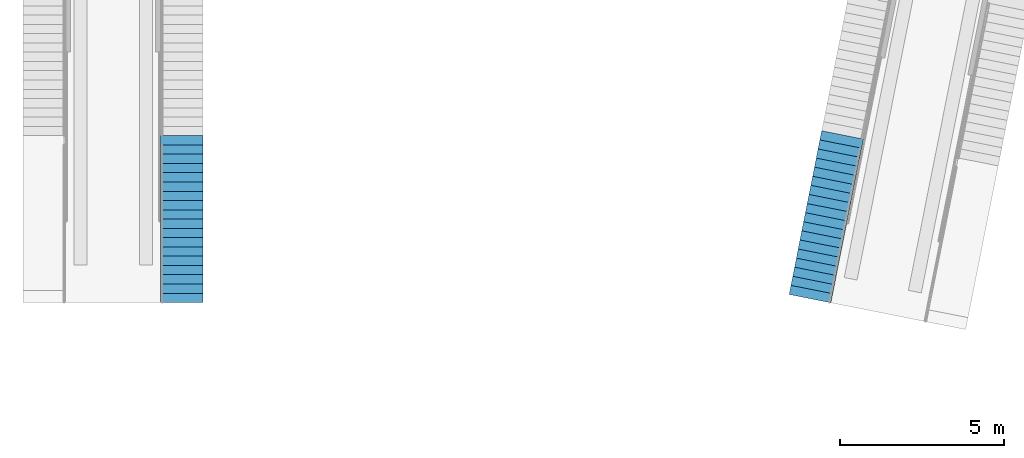
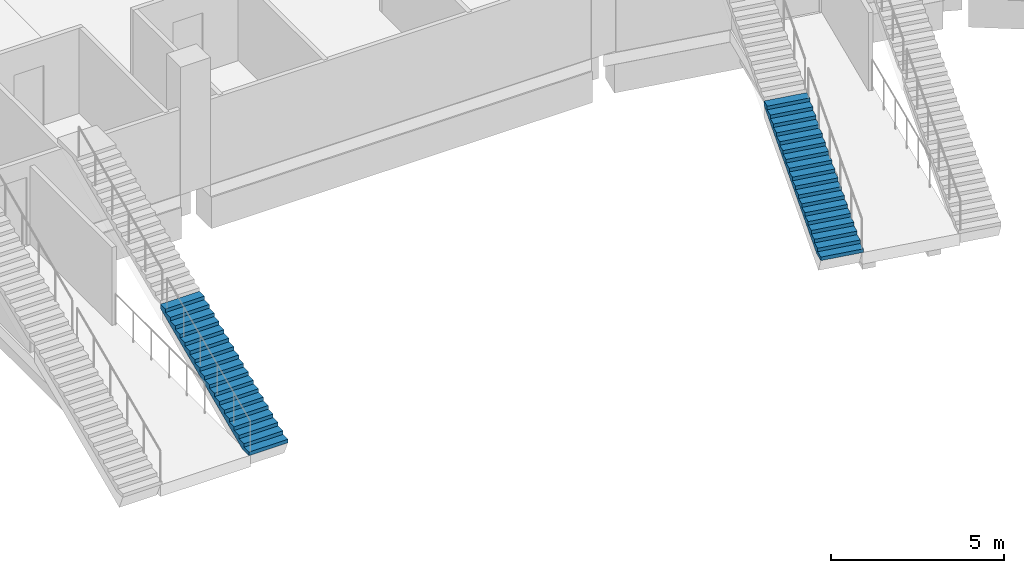
# One storey, part 125 of 175: 2 stair flights, 2 elements without a shape of their own.
"""IFC4 building model written with IfcOpenShell, lengths in metres."""

from ifc_helpers import new_model, si_unit, direction, frame, origin, place, context, subcontext, project, spatial, faceted_brep, material, type_object, element, aggregate, save


model = new_model("IFC4")

# Units and contexts
model_context = context("Model", 3, precision=1e-05, world=origin(), true_north=direction((0.0, 1.0)))
body_context = subcontext(model_context, "Body", "Model", "MODEL_VIEW")
ifc_project = project(units=[si_unit("LENGTHUNIT", "METRE"), si_unit("AREAUNIT", "SQUARE_METRE"), si_unit("VOLUMEUNIT", "CUBIC_METRE"), si_unit("PLANEANGLEUNIT", "RADIAN"), si_unit("MASSUNIT", "GRAM", prefix="KILO")], contexts=[model_context])

# Site, building, storey
site_placement = place(None, origin())
site = spatial("IfcSite", under=ifc_project, at=site_placement, CompositionType="ELEMENT")
building_placement = place(site_placement, origin())
building = spatial("IfcBuilding", under=site, at=building_placement, Name="Ogive Plaza Stadium", CompositionType="ELEMENT")
storey_placement = place(building_placement, origin())
storey = spatial("IfcBuildingStorey", under=building, at=storey_placement, Name="L00", CompositionType="ELEMENT", Elevation=0.0)

# Stair, stair flight
ifc_material_1 = material(Name="Concrete C40/50", Category="concrete")
stair_type = type_object("IfcStairType", Name="Aisle stair", PredefinedType="STRAIGHT_RUN_STAIR", material=ifc_material_1)
stair_1_placement = place(storey_placement, origin())
stair_1 = element("IfcStair", 1, at=stair_1_placement, inside=storey, type_object=stair_type, Name="Aisle stair SA35L", PredefinedType="STRAIGHT_RUN_STAIR")
ifc_material_2 = material(Name="Concrete C40/50", Category="concrete")
stair_flight_type = type_object("IfcStairFlightType", Name="Aisle stair flight", PredefinedType="STRAIGHT", material=ifc_material_2)
stair_flight_1_placement = place(storey_placement, frame((15.699951171875, 67.64990234375, 0.0), z_axis=(0.0, 0.0, 1.0), x_axis=(0.0, 1.0, 0.0)))
stair_flight_1 = element("IfcStairFlight", 2, at=stair_flight_1_placement, type_object=stair_flight_type, Name="SA35L flight 1", NumberOfRisers=18, NumberOfTreads=17, PredefinedType="STRAIGHT", RiserHeight=0.125, TreadLength=0.283333333, context=body_context, shape_type="Brep", body=[
    faceted_brep([(0.371337890625, -0.64990234375, 0.0), (5.10009765625, -0.64990234375, 2.086181640625), (5.10009765625, -0.64990234375, 2.25), (4.816650390625, -0.64990234375, 2.25), (4.816650390625, -0.64990234375, 2.125), (4.533447265625, -0.64990234375, 2.125), (4.533447265625, -0.64990234375, 2.0), (4.25, -0.64990234375, 2.0), (4.25, -0.64990234375, 1.875), (3.966552734375, -0.64990234375, 1.875), (3.966552734375, -0.64990234375, 1.75), (3.683349609375, -0.64990234375, 1.75), (3.683349609375, -0.64990234375, 1.625), (3.39990234375, -0.64990234375, 1.625), (3.39990234375, -0.64990234375, 1.5), (3.11669921875, -0.64990234375, 1.5), (3.11669921875, -0.64990234375, 1.375), (2.833251953125, -0.64990234375, 1.375), (2.833251953125, -0.64990234375, 1.25), (2.550048828125, -0.64990234375, 1.25), (2.550048828125, -0.64990234375, 1.125), (2.2666015625, -0.64990234375, 1.125), (2.2666015625, -0.64990234375, 1.0), (1.9833984375, -0.64990234375, 1.0), (1.9833984375, -0.64990234375, 0.875), (1.699951171875, -0.64990234375, 0.875), (1.699951171875, -0.64990234375, 0.75), (1.416748046875, -0.64990234375, 0.75), (1.416748046875, -0.64990234375, 0.625), (1.13330078125, -0.64990234375, 0.625), (1.13330078125, -0.64990234375, 0.5), (0.85009765625, -0.64990234375, 0.5), (0.85009765625, -0.64990234375, 0.375), (0.566650390625, -0.64990234375, 0.375), (0.566650390625, -0.64990234375, 0.25), (0.283447265625, -0.64990234375, 0.25), (0.283447265625, -0.64990234375, 0.125), (0.0, -0.64990234375, 0.125), (0.0, -0.64990234375, 0.0), (0.0, 0.64990234375, 0.0), (0.0, 0.64990234375, 0.125), (0.283447265625, 0.64990234375, 0.125), (0.283447265625, 0.64990234375, 0.25), (0.566650390625, 0.64990234375, 0.25), (0.566650390625, 0.64990234375, 0.375), (0.85009765625, 0.64990234375, 0.375), (0.85009765625, 0.64990234375, 0.5), (1.13330078125, 0.64990234375, 0.5), (1.13330078125, 0.64990234375, 0.625), (1.416748046875, 0.64990234375, 0.625), (1.416748046875, 0.64990234375, 0.75), (1.699951171875, 0.64990234375, 0.75), (1.699951171875, 0.64990234375, 0.875), (1.9833984375, 0.64990234375, 0.875), (1.9833984375, 0.64990234375, 1.0), (2.2666015625, 0.64990234375, 1.0), (2.2666015625, 0.64990234375, 1.125), (2.550048828125, 0.64990234375, 1.125), (2.550048828125, 0.64990234375, 1.25), (2.833251953125, 0.64990234375, 1.25), (2.833251953125, 0.64990234375, 1.375), (3.11669921875, 0.64990234375, 1.375), (3.11669921875, 0.64990234375, 1.5), (3.39990234375, 0.64990234375, 1.5), (3.39990234375, 0.64990234375, 1.625), (3.683349609375, 0.64990234375, 1.625), (3.683349609375, 0.64990234375, 1.75), (3.966552734375, 0.64990234375, 1.75), (3.966552734375, 0.64990234375, 1.875), (4.25, 0.64990234375, 1.875), (4.25, 0.64990234375, 2.0), (4.533447265625, 0.64990234375, 2.0), (4.533447265625, 0.64990234375, 2.125), (4.816650390625, 0.64990234375, 2.125), (4.816650390625, 0.64990234375, 2.25), (5.10009765625, 0.64990234375, 2.25), (5.10009765625, 0.64990234375, 2.086181640625), (0.371337890625, 0.64990234375, 0.0), (0.371337890625, -0.324951171875, 0.0), (5.10009765625, -0.324951171875, 2.086181640625), (0.371337890625, 0.0, 0.0), (5.10009765625, 0.0, 2.086181640625), (0.371337890625, 0.324951171875, 0.0), (5.10009765625, 0.324951171875, 2.086181640625), (5.10009765625, -0.324951171875, 2.25), (5.10009765625, 0.0, 2.25), (5.10009765625, 0.324951171875, 2.25), (4.816650390625, -0.324951171875, 2.25), (4.816650390625, 0.0, 2.25), (4.816650390625, 0.324951171875, 2.25), (4.816650390625, -0.324951171875, 2.125), (4.816650390625, 0.0, 2.125), (4.816650390625, 0.324951171875, 2.125), (4.533447265625, -0.324951171875, 2.125), (4.533447265625, 0.0, 2.125), (4.533447265625, 0.324951171875, 2.125), (4.533447265625, -0.324951171875, 2.0), (4.533447265625, 0.0, 2.0), (4.533447265625, 0.324951171875, 2.0), (4.25, -0.324951171875, 2.0), (4.25, 0.0, 2.0), (4.25, 0.324951171875, 2.0), (4.25, -0.324951171875, 1.875), (4.25, 0.0, 1.875), (4.25, 0.324951171875, 1.875), (3.966552734375, -0.324951171875, 1.875), (3.966552734375, 0.0, 1.875), (3.966552734375, 0.324951171875, 1.875), (3.966552734375, -0.324951171875, 1.75), (3.966552734375, 0.0, 1.75), (3.966552734375, 0.324951171875, 1.75), (3.683349609375, -0.324951171875, 1.75), (3.683349609375, 0.0, 1.75), (3.683349609375, 0.324951171875, 1.75), (3.683349609375, -0.324951171875, 1.625), (3.683349609375, 0.0, 1.625), (3.683349609375, 0.324951171875, 1.625), (3.39990234375, -0.324951171875, 1.625), (3.39990234375, 0.0, 1.625), (3.39990234375, 0.324951171875, 1.625), (3.39990234375, -0.324951171875, 1.5), (3.39990234375, 0.0, 1.5), (3.39990234375, 0.324951171875, 1.5), (3.11669921875, -0.324951171875, 1.5), (3.11669921875, 0.0, 1.5), (3.11669921875, 0.324951171875, 1.5), (3.11669921875, -0.324951171875, 1.375), (3.11669921875, 0.0, 1.375), (3.11669921875, 0.324951171875, 1.375), (2.833251953125, -0.324951171875, 1.375), (2.833251953125, 0.0, 1.375), (2.833251953125, 0.324951171875, 1.375), (2.833251953125, -0.324951171875, 1.25), (2.833251953125, 0.0, 1.25), (2.833251953125, 0.324951171875, 1.25), (2.550048828125, -0.324951171875, 1.25), (2.550048828125, 0.0, 1.25), (2.550048828125, 0.324951171875, 1.25), (2.550048828125, -0.324951171875, 1.125), (2.550048828125, 0.0, 1.125), (2.550048828125, 0.324951171875, 1.125), (2.2666015625, -0.324951171875, 1.125), (2.2666015625, 0.0, 1.125), (2.2666015625, 0.324951171875, 1.125), (2.2666015625, -0.324951171875, 1.0), (2.2666015625, 0.0, 1.0), (2.2666015625, 0.324951171875, 1.0), (1.9833984375, -0.324951171875, 1.0), (1.9833984375, 0.0, 1.0), (1.9833984375, 0.324951171875, 1.0), (1.9833984375, -0.324951171875, 0.875), (1.9833984375, 0.0, 0.875), (1.9833984375, 0.324951171875, 0.875), (1.699951171875, -0.324951171875, 0.875), (1.699951171875, 0.0, 0.875), (1.699951171875, 0.324951171875, 0.875), (1.699951171875, -0.324951171875, 0.75), (1.699951171875, 0.0, 0.75), (1.699951171875, 0.324951171875, 0.75), (1.416748046875, -0.324951171875, 0.75), (1.416748046875, 0.0, 0.75), (1.416748046875, 0.324951171875, 0.75), (1.416748046875, -0.324951171875, 0.625), (1.416748046875, 0.0, 0.625), (1.416748046875, 0.324951171875, 0.625), (1.13330078125, -0.324951171875, 0.625), (1.13330078125, 0.0, 0.625), (1.13330078125, 0.324951171875, 0.625), (1.13330078125, -0.324951171875, 0.5), (1.13330078125, 0.0, 0.5), (1.13330078125, 0.324951171875, 0.5), (0.85009765625, -0.324951171875, 0.5), (0.85009765625, 0.0, 0.5), (0.85009765625, 0.324951171875, 0.5), (0.85009765625, -0.324951171875, 0.375), (0.85009765625, 0.0, 0.375), (0.85009765625, 0.324951171875, 0.375), (0.566650390625, -0.324951171875, 0.375), (0.566650390625, 0.0, 0.375), (0.566650390625, 0.324951171875, 0.375), (0.566650390625, -0.324951171875, 0.25), (0.566650390625, 0.0, 0.25), (0.566650390625, 0.324951171875, 0.25), (0.283447265625, -0.324951171875, 0.25), (0.283447265625, 0.0, 0.25), (0.283447265625, 0.324951171875, 0.25), (0.283447265625, -0.324951171875, 0.125), (0.283447265625, 0.0, 0.125), (0.283447265625, 0.324951171875, 0.125), (0.0, -0.324951171875, 0.125), (0.0, 0.0, 0.125), (0.0, 0.324951171875, 0.125), (0.0, -0.324951171875, 0.0), (0.0, 0.0, 0.0), (0.0, 0.324951171875, 0.0)], [[[0, 1, 2, 3, 4, 5, 6, 7, 8, 9, 10, 11, 12, 13, 14, 15, 16, 17, 18, 19, 20, 21, 22, 23, 24, 25, 26, 27, 28, 29, 30, 31, 32, 33, 34, 35, 36, 37, 38]], [[39, 40, 41, 42, 43, 44, 45, 46, 47, 48, 49, 50, 51, 52, 53, 54, 55, 56, 57, 58, 59, 60, 61, 62, 63, 64, 65, 66, 67, 68, 69, 70, 71, 72, 73, 74, 75, 76, 77]], [[0, 78, 79, 1]], [[78, 80, 81, 79]], [[80, 82, 83, 81]], [[82, 77, 76, 83]], [[1, 79, 84, 2]], [[79, 81, 85, 84]], [[81, 83, 86, 85]], [[83, 76, 75, 86]], [[2, 84, 87, 3]], [[84, 85, 88, 87]], [[85, 86, 89, 88]], [[86, 75, 74, 89]], [[3, 87, 90, 4]], [[87, 88, 91, 90]], [[88, 89, 92, 91]], [[89, 74, 73, 92]], [[4, 90, 93, 5]], [[90, 91, 94, 93]], [[91, 92, 95, 94]], [[92, 73, 72, 95]], [[5, 93, 96, 6]], [[93, 94, 97, 96]], [[94, 95, 98, 97]], [[95, 72, 71, 98]], [[6, 96, 99, 7]], [[96, 97, 100, 99]], [[97, 98, 101, 100]], [[98, 71, 70, 101]], [[7, 99, 102, 8]], [[99, 100, 103, 102]], [[100, 101, 104, 103]], [[101, 70, 69, 104]], [[8, 102, 105, 9]], [[102, 103, 106, 105]], [[103, 104, 107, 106]], [[104, 69, 68, 107]], [[9, 105, 108, 10]], [[105, 106, 109, 108]], [[106, 107, 110, 109]], [[107, 68, 67, 110]], [[10, 108, 111, 11]], [[108, 109, 112, 111]], [[109, 110, 113, 112]], [[110, 67, 66, 113]], [[11, 111, 114, 12]], [[111, 112, 115, 114]], [[112, 113, 116, 115]], [[113, 66, 65, 116]], [[12, 114, 117, 13]], [[114, 115, 118, 117]], [[115, 116, 119, 118]], [[116, 65, 64, 119]], [[13, 117, 120, 14]], [[117, 118, 121, 120]], [[118, 119, 122, 121]], [[119, 64, 63, 122]], [[14, 120, 123, 15]], [[120, 121, 124, 123]], [[121, 122, 125, 124]], [[122, 63, 62, 125]], [[15, 123, 126, 16]], [[123, 124, 127, 126]], [[124, 125, 128, 127]], [[125, 62, 61, 128]], [[16, 126, 129, 17]], [[126, 127, 130, 129]], [[127, 128, 131, 130]], [[128, 61, 60, 131]], [[17, 129, 132, 18]], [[129, 130, 133, 132]], [[130, 131, 134, 133]], [[131, 60, 59, 134]], [[18, 132, 135, 19]], [[132, 133, 136, 135]], [[133, 134, 137, 136]], [[134, 59, 58, 137]], [[19, 135, 138, 20]], [[135, 136, 139, 138]], [[136, 137, 140, 139]], [[137, 58, 57, 140]], [[20, 138, 141, 21]], [[138, 139, 142, 141]], [[139, 140, 143, 142]], [[140, 57, 56, 143]], [[21, 141, 144, 22]], [[141, 142, 145, 144]], [[142, 143, 146, 145]], [[143, 56, 55, 146]], [[22, 144, 147, 23]], [[144, 145, 148, 147]], [[145, 146, 149, 148]], [[146, 55, 54, 149]], [[23, 147, 150, 24]], [[147, 148, 151, 150]], [[148, 149, 152, 151]], [[149, 54, 53, 152]], [[24, 150, 153, 25]], [[150, 151, 154, 153]], [[151, 152, 155, 154]], [[152, 53, 52, 155]], [[25, 153, 156, 26]], [[153, 154, 157, 156]], [[154, 155, 158, 157]], [[155, 52, 51, 158]], [[26, 156, 159, 27]], [[156, 157, 160, 159]], [[157, 158, 161, 160]], [[158, 51, 50, 161]], [[27, 159, 162, 28]], [[159, 160, 163, 162]], [[160, 161, 164, 163]], [[161, 50, 49, 164]], [[28, 162, 165, 29]], [[162, 163, 166, 165]], [[163, 164, 167, 166]], [[164, 49, 48, 167]], [[29, 165, 168, 30]], [[165, 166, 169, 168]], [[166, 167, 170, 169]], [[167, 48, 47, 170]], [[30, 168, 171, 31]], [[168, 169, 172, 171]], [[169, 170, 173, 172]], [[170, 47, 46, 173]], [[31, 171, 174, 32]], [[171, 172, 175, 174]], [[172, 173, 176, 175]], [[173, 46, 45, 176]], [[32, 174, 177, 33]], [[174, 175, 178, 177]], [[175, 176, 179, 178]], [[176, 45, 44, 179]], [[33, 177, 180, 34]], [[177, 178, 181, 180]], [[178, 179, 182, 181]], [[179, 44, 43, 182]], [[34, 180, 183, 35]], [[180, 181, 184, 183]], [[181, 182, 185, 184]], [[182, 43, 42, 185]], [[35, 183, 186, 36]], [[183, 184, 187, 186]], [[184, 185, 188, 187]], [[185, 42, 41, 188]], [[36, 186, 189, 37]], [[186, 187, 190, 189]], [[187, 188, 191, 190]], [[188, 41, 40, 191]], [[37, 189, 192, 38]], [[189, 190, 193, 192]], [[190, 191, 194, 193]], [[191, 40, 39, 194]], [[38, 192, 78, 0]], [[192, 193, 80, 78]], [[193, 194, 82, 80]], [[194, 39, 77, 82]]]),
])
aggregate(stair_1, [stair_flight_1])

stair_2_placement = place(storey_placement, origin())
stair_2 = element("IfcStair", 3, at=stair_2_placement, inside=storey, type_object=stair_type, Name="Aisle stair SA37R", PredefinedType="STRAIGHT_RUN_STAIR")
stair_flight_2_placement = place(storey_placement, frame((34.89599609375, 67.7685546875, 0.0), z_axis=(0.0, 0.0, 1.0), x_axis=(0.195090322016, 0.980785280403, 0.0)))
stair_flight_2 = element("IfcStairFlight", 4, at=stair_flight_2_placement, type_object=stair_flight_type, Name="SA37R flight 1", NumberOfRisers=18, NumberOfTreads=17, PredefinedType="STRAIGHT", RiserHeight=0.125, TreadLength=0.283333333, context=body_context, shape_type="Brep", body=[
    faceted_brep([(0.371337890625, -0.64990234375, 0.0), (5.10009765625, -0.64990234375, 2.086181640625), (5.10009765625, -0.64990234375, 2.25), (4.816650390625, -0.64990234375, 2.25), (4.816650390625, -0.64990234375, 2.125), (4.533447265625, -0.64990234375, 2.125), (4.533447265625, -0.64990234375, 2.0), (4.25, -0.64990234375, 2.0), (4.25, -0.64990234375, 1.875), (3.966552734375, -0.64990234375, 1.875), (3.966552734375, -0.64990234375, 1.75), (3.683349609375, -0.64990234375, 1.75), (3.683349609375, -0.64990234375, 1.625), (3.39990234375, -0.64990234375, 1.625), (3.39990234375, -0.64990234375, 1.5), (3.11669921875, -0.64990234375, 1.5), (3.11669921875, -0.64990234375, 1.375), (2.833251953125, -0.64990234375, 1.375), (2.833251953125, -0.64990234375, 1.25), (2.550048828125, -0.64990234375, 1.25), (2.550048828125, -0.64990234375, 1.125), (2.2666015625, -0.64990234375, 1.125), (2.2666015625, -0.64990234375, 1.0), (1.9833984375, -0.64990234375, 1.0), (1.9833984375, -0.64990234375, 0.875), (1.699951171875, -0.64990234375, 0.875), (1.699951171875, -0.64990234375, 0.75), (1.416748046875, -0.64990234375, 0.75), (1.416748046875, -0.64990234375, 0.625), (1.13330078125, -0.64990234375, 0.625), (1.13330078125, -0.64990234375, 0.5), (0.85009765625, -0.64990234375, 0.5), (0.85009765625, -0.64990234375, 0.375), (0.566650390625, -0.64990234375, 0.375), (0.566650390625, -0.64990234375, 0.25), (0.283447265625, -0.64990234375, 0.25), (0.283447265625, -0.64990234375, 0.125), (0.0, -0.64990234375, 0.125), (0.0, -0.64990234375, 0.0), (0.0, 0.64990234375, 0.0), (0.0, 0.64990234375, 0.125), (0.283447265625, 0.64990234375, 0.125), (0.283447265625, 0.64990234375, 0.25), (0.566650390625, 0.64990234375, 0.25), (0.566650390625, 0.64990234375, 0.375), (0.85009765625, 0.64990234375, 0.375), (0.85009765625, 0.64990234375, 0.5), (1.13330078125, 0.64990234375, 0.5), (1.13330078125, 0.64990234375, 0.625), (1.416748046875, 0.64990234375, 0.625), (1.416748046875, 0.64990234375, 0.75), (1.699951171875, 0.64990234375, 0.75), (1.699951171875, 0.64990234375, 0.875), (1.9833984375, 0.64990234375, 0.875), (1.9833984375, 0.64990234375, 1.0), (2.2666015625, 0.64990234375, 1.0), (2.2666015625, 0.64990234375, 1.125), (2.550048828125, 0.64990234375, 1.125), (2.550048828125, 0.64990234375, 1.25), (2.833251953125, 0.64990234375, 1.25), (2.833251953125, 0.64990234375, 1.375), (3.11669921875, 0.64990234375, 1.375), (3.11669921875, 0.64990234375, 1.5), (3.39990234375, 0.64990234375, 1.5), (3.39990234375, 0.64990234375, 1.625), (3.683349609375, 0.64990234375, 1.625), (3.683349609375, 0.64990234375, 1.75), (3.966552734375, 0.64990234375, 1.75), (3.966552734375, 0.64990234375, 1.875), (4.25, 0.64990234375, 1.875), (4.25, 0.64990234375, 2.0), (4.533447265625, 0.64990234375, 2.0), (4.533447265625, 0.64990234375, 2.125), (4.816650390625, 0.64990234375, 2.125), (4.816650390625, 0.64990234375, 2.25), (5.10009765625, 0.64990234375, 2.25), (5.10009765625, 0.64990234375, 2.086181640625), (0.371337890625, 0.64990234375, 0.0), (0.371337890625, -0.324951171875, 0.0), (5.10009765625, -0.324951171875, 2.086181640625), (0.371337890625, 0.0, 0.0), (5.10009765625, 0.0, 2.086181640625), (0.371337890625, 0.324951171875, 0.0), (5.10009765625, 0.324951171875, 2.086181640625), (5.10009765625, -0.324951171875, 2.25), (5.10009765625, 0.0, 2.25), (5.10009765625, 0.324951171875, 2.25), (4.816650390625, -0.324951171875, 2.25), (4.816650390625, 0.0, 2.25), (4.816650390625, 0.324951171875, 2.25), (4.816650390625, -0.324951171875, 2.125), (4.816650390625, 0.0, 2.125), (4.816650390625, 0.324951171875, 2.125), (4.533447265625, -0.324951171875, 2.125), (4.533447265625, 0.0, 2.125), (4.533447265625, 0.324951171875, 2.125), (4.533447265625, -0.324951171875, 2.0), (4.533447265625, 0.0, 2.0), (4.533447265625, 0.324951171875, 2.0), (4.25, -0.324951171875, 2.0), (4.25, 0.0, 2.0), (4.25, 0.324951171875, 2.0), (4.25, -0.324951171875, 1.875), (4.25, 0.0, 1.875), (4.25, 0.324951171875, 1.875), (3.966552734375, -0.324951171875, 1.875), (3.966552734375, 0.0, 1.875), (3.966552734375, 0.324951171875, 1.875), (3.966552734375, -0.324951171875, 1.75), (3.966552734375, 0.0, 1.75), (3.966552734375, 0.324951171875, 1.75), (3.683349609375, -0.324951171875, 1.75), (3.683349609375, 0.0, 1.75), (3.683349609375, 0.324951171875, 1.75), (3.683349609375, -0.324951171875, 1.625), (3.683349609375, 0.0, 1.625), (3.683349609375, 0.324951171875, 1.625), (3.39990234375, -0.324951171875, 1.625), (3.39990234375, 0.0, 1.625), (3.39990234375, 0.324951171875, 1.625), (3.39990234375, -0.324951171875, 1.5), (3.39990234375, 0.0, 1.5), (3.39990234375, 0.324951171875, 1.5), (3.11669921875, -0.324951171875, 1.5), (3.11669921875, 0.0, 1.5), (3.11669921875, 0.324951171875, 1.5), (3.11669921875, -0.324951171875, 1.375), (3.11669921875, 0.0, 1.375), (3.11669921875, 0.324951171875, 1.375), (2.833251953125, -0.324951171875, 1.375), (2.833251953125, 0.0, 1.375), (2.833251953125, 0.324951171875, 1.375), (2.833251953125, -0.324951171875, 1.25), (2.833251953125, 0.0, 1.25), (2.833251953125, 0.324951171875, 1.25), (2.550048828125, -0.324951171875, 1.25), (2.550048828125, 0.0, 1.25), (2.550048828125, 0.324951171875, 1.25), (2.550048828125, -0.324951171875, 1.125), (2.550048828125, 0.0, 1.125), (2.550048828125, 0.324951171875, 1.125), (2.2666015625, -0.324951171875, 1.125), (2.2666015625, 0.0, 1.125), (2.2666015625, 0.324951171875, 1.125), (2.2666015625, -0.324951171875, 1.0), (2.2666015625, 0.0, 1.0), (2.2666015625, 0.324951171875, 1.0), (1.9833984375, -0.324951171875, 1.0), (1.9833984375, 0.0, 1.0), (1.9833984375, 0.324951171875, 1.0), (1.9833984375, -0.324951171875, 0.875), (1.9833984375, 0.0, 0.875), (1.9833984375, 0.324951171875, 0.875), (1.699951171875, -0.324951171875, 0.875), (1.699951171875, 0.0, 0.875), (1.699951171875, 0.324951171875, 0.875), (1.699951171875, -0.324951171875, 0.75), (1.699951171875, 0.0, 0.75), (1.699951171875, 0.324951171875, 0.75), (1.416748046875, -0.324951171875, 0.75), (1.416748046875, 0.0, 0.75), (1.416748046875, 0.324951171875, 0.75), (1.416748046875, -0.324951171875, 0.625), (1.416748046875, 0.0, 0.625), (1.416748046875, 0.324951171875, 0.625), (1.13330078125, -0.324951171875, 0.625), (1.13330078125, 0.0, 0.625), (1.13330078125, 0.324951171875, 0.625), (1.13330078125, -0.324951171875, 0.5), (1.13330078125, 0.0, 0.5), (1.13330078125, 0.324951171875, 0.5), (0.85009765625, -0.324951171875, 0.5), (0.85009765625, 0.0, 0.5), (0.85009765625, 0.324951171875, 0.5), (0.85009765625, -0.324951171875, 0.375), (0.85009765625, 0.0, 0.375), (0.85009765625, 0.324951171875, 0.375), (0.566650390625, -0.324951171875, 0.375), (0.566650390625, 0.0, 0.375), (0.566650390625, 0.324951171875, 0.375), (0.566650390625, -0.324951171875, 0.25), (0.566650390625, 0.0, 0.25), (0.566650390625, 0.324951171875, 0.25), (0.283447265625, -0.324951171875, 0.25), (0.283447265625, 0.0, 0.25), (0.283447265625, 0.324951171875, 0.25), (0.283447265625, -0.324951171875, 0.125), (0.283447265625, 0.0, 0.125), (0.283447265625, 0.324951171875, 0.125), (0.0, -0.324951171875, 0.125), (0.0, 0.0, 0.125), (0.0, 0.324951171875, 0.125), (0.0, -0.324951171875, 0.0), (0.0, 0.0, 0.0), (0.0, 0.324951171875, 0.0)], [[[0, 1, 2, 3, 4, 5, 6, 7, 8, 9, 10, 11, 12, 13, 14, 15, 16, 17, 18, 19, 20, 21, 22, 23, 24, 25, 26, 27, 28, 29, 30, 31, 32, 33, 34, 35, 36, 37, 38]], [[39, 40, 41, 42, 43, 44, 45, 46, 47, 48, 49, 50, 51, 52, 53, 54, 55, 56, 57, 58, 59, 60, 61, 62, 63, 64, 65, 66, 67, 68, 69, 70, 71, 72, 73, 74, 75, 76, 77]], [[0, 78, 79, 1]], [[78, 80, 81, 79]], [[80, 82, 83, 81]], [[82, 77, 76, 83]], [[1, 79, 84, 2]], [[79, 81, 85, 84]], [[81, 83, 86, 85]], [[83, 76, 75, 86]], [[2, 84, 87, 3]], [[84, 85, 88, 87]], [[85, 86, 89, 88]], [[86, 75, 74, 89]], [[3, 87, 90, 4]], [[87, 88, 91, 90]], [[88, 89, 92, 91]], [[89, 74, 73, 92]], [[4, 90, 93, 5]], [[90, 91, 94, 93]], [[91, 92, 95, 94]], [[92, 73, 72, 95]], [[5, 93, 96, 6]], [[93, 94, 97, 96]], [[94, 95, 98, 97]], [[95, 72, 71, 98]], [[6, 96, 99, 7]], [[96, 97, 100, 99]], [[97, 98, 101, 100]], [[98, 71, 70, 101]], [[7, 99, 102, 8]], [[99, 100, 103, 102]], [[100, 101, 104, 103]], [[101, 70, 69, 104]], [[8, 102, 105, 9]], [[102, 103, 106, 105]], [[103, 104, 107, 106]], [[104, 69, 68, 107]], [[9, 105, 108, 10]], [[105, 106, 109, 108]], [[106, 107, 110, 109]], [[107, 68, 67, 110]], [[10, 108, 111, 11]], [[108, 109, 112, 111]], [[109, 110, 113, 112]], [[110, 67, 66, 113]], [[11, 111, 114, 12]], [[111, 112, 115, 114]], [[112, 113, 116, 115]], [[113, 66, 65, 116]], [[12, 114, 117, 13]], [[114, 115, 118, 117]], [[115, 116, 119, 118]], [[116, 65, 64, 119]], [[13, 117, 120, 14]], [[117, 118, 121, 120]], [[118, 119, 122, 121]], [[119, 64, 63, 122]], [[14, 120, 123, 15]], [[120, 121, 124, 123]], [[121, 122, 125, 124]], [[122, 63, 62, 125]], [[15, 123, 126, 16]], [[123, 124, 127, 126]], [[124, 125, 128, 127]], [[125, 62, 61, 128]], [[16, 126, 129, 17]], [[126, 127, 130, 129]], [[127, 128, 131, 130]], [[128, 61, 60, 131]], [[17, 129, 132, 18]], [[129, 130, 133, 132]], [[130, 131, 134, 133]], [[131, 60, 59, 134]], [[18, 132, 135, 19]], [[132, 133, 136, 135]], [[133, 134, 137, 136]], [[134, 59, 58, 137]], [[19, 135, 138, 20]], [[135, 136, 139, 138]], [[136, 137, 140, 139]], [[137, 58, 57, 140]], [[20, 138, 141, 21]], [[138, 139, 142, 141]], [[139, 140, 143, 142]], [[140, 57, 56, 143]], [[21, 141, 144, 22]], [[141, 142, 145, 144]], [[142, 143, 146, 145]], [[143, 56, 55, 146]], [[22, 144, 147, 23]], [[144, 145, 148, 147]], [[145, 146, 149, 148]], [[146, 55, 54, 149]], [[23, 147, 150, 24]], [[147, 148, 151, 150]], [[148, 149, 152, 151]], [[149, 54, 53, 152]], [[24, 150, 153, 25]], [[150, 151, 154, 153]], [[151, 152, 155, 154]], [[152, 53, 52, 155]], [[25, 153, 156, 26]], [[153, 154, 157, 156]], [[154, 155, 158, 157]], [[155, 52, 51, 158]], [[26, 156, 159, 27]], [[156, 157, 160, 159]], [[157, 158, 161, 160]], [[158, 51, 50, 161]], [[27, 159, 162, 28]], [[159, 160, 163, 162]], [[160, 161, 164, 163]], [[161, 50, 49, 164]], [[28, 162, 165, 29]], [[162, 163, 166, 165]], [[163, 164, 167, 166]], [[164, 49, 48, 167]], [[29, 165, 168, 30]], [[165, 166, 169, 168]], [[166, 167, 170, 169]], [[167, 48, 47, 170]], [[30, 168, 171, 31]], [[168, 169, 172, 171]], [[169, 170, 173, 172]], [[170, 47, 46, 173]], [[31, 171, 174, 32]], [[171, 172, 175, 174]], [[172, 173, 176, 175]], [[173, 46, 45, 176]], [[32, 174, 177, 33]], [[174, 175, 178, 177]], [[175, 176, 179, 178]], [[176, 45, 44, 179]], [[33, 177, 180, 34]], [[177, 178, 181, 180]], [[178, 179, 182, 181]], [[179, 44, 43, 182]], [[34, 180, 183, 35]], [[180, 181, 184, 183]], [[181, 182, 185, 184]], [[182, 43, 42, 185]], [[35, 183, 186, 36]], [[183, 184, 187, 186]], [[184, 185, 188, 187]], [[185, 42, 41, 188]], [[36, 186, 189, 37]], [[186, 187, 190, 189]], [[187, 188, 191, 190]], [[188, 41, 40, 191]], [[37, 189, 192, 38]], [[189, 190, 193, 192]], [[190, 191, 194, 193]], [[191, 40, 39, 194]], [[38, 192, 78, 0]], [[192, 193, 80, 78]], [[193, 194, 82, 80]], [[194, 39, 77, 82]]]),
])
aggregate(stair_2, [stair_flight_2])

save(model, "model.ifc")
